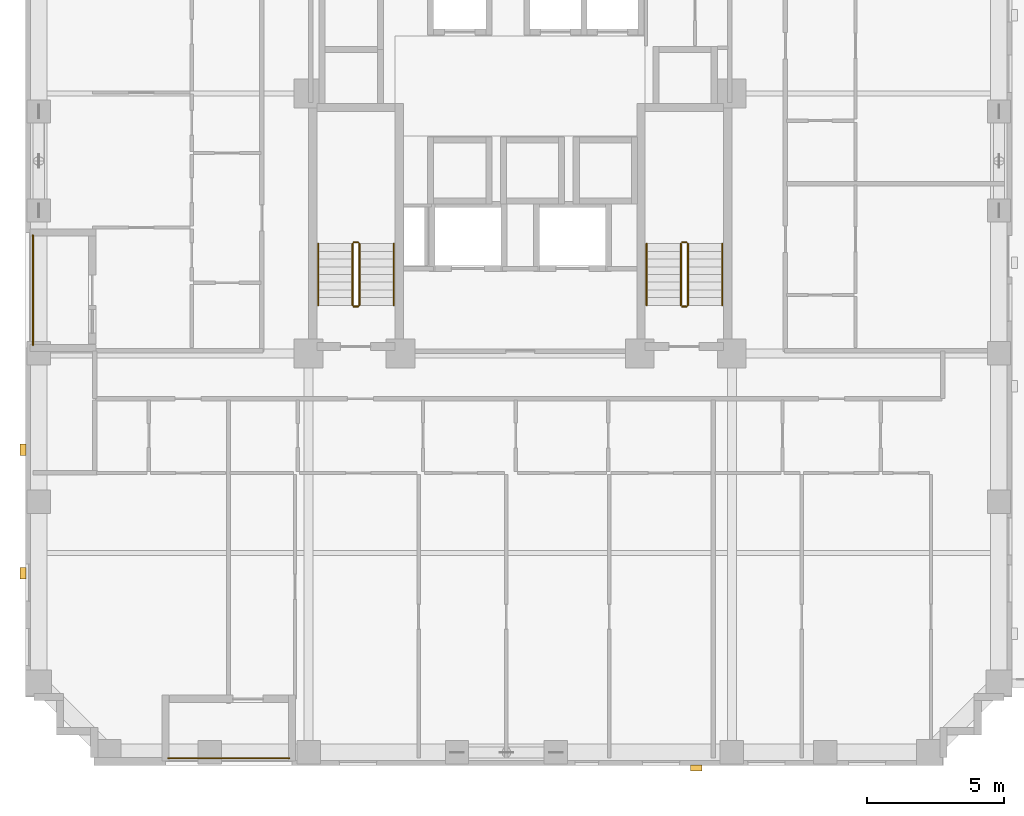
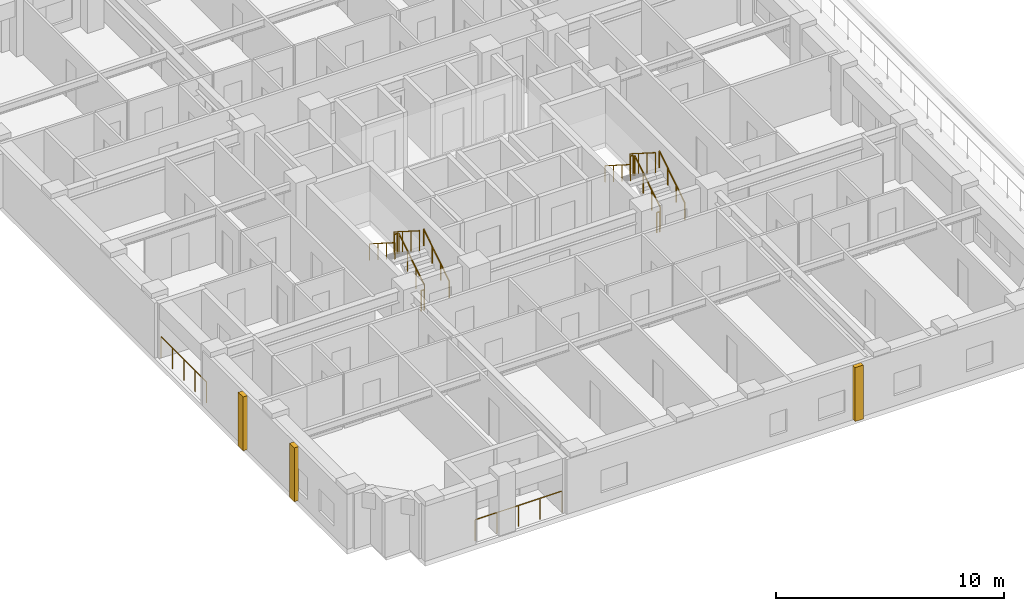
# One storey, part 15 of 16: 14 railings, 3 coverings.
"""IFC4 building model written with IfcOpenShell, lengths in metres."""

from ifc_helpers import new_model, si_unit, derived_unit, direction, frame, origin, origin_2d, place, context, subcontext, project, spatial, rectangle, circle, extrude, material, layer, layer_set, type_object, element, save


model = new_model("IFC4")

# Units and contexts
model_context = context("Model", 3, precision=1e-05, world=origin(), true_north=direction((0.0, 1.0)))
body_context = subcontext(model_context, "Body", "Model", "MODEL_VIEW")
ifc_project = project(units=[si_unit("LENGTHUNIT", "METRE"), si_unit("AREAUNIT", "SQUARE_METRE"), si_unit("VOLUMEUNIT", "CUBIC_METRE"), si_unit("PLANEANGLEUNIT", "RADIAN"), si_unit("MASSUNIT", "GRAM", prefix="KILO"), derived_unit("THERMALTRANSMITTANCEUNIT", [(si_unit("MASSUNIT", "GRAM", prefix="KILO"), 1), (si_unit("TIMEUNIT", "SECOND"), -3), (si_unit("THERMODYNAMICTEMPERATUREUNIT", "KELVIN"), -1)])], contexts=[model_context])

# Site, building, storey
site_placement = place(None, origin())
site = spatial("IfcSite", under=ifc_project, at=site_placement, CompositionType="ELEMENT")
building_placement = place(site_placement, origin())
building = spatial("IfcBuilding", under=site, at=building_placement, Name="Korrvale Station Residences", CompositionType="ELEMENT")
storey_placement = place(building_placement, frame((0.0, 0.0, 75.10009765625)))
storey = spatial("IfcBuildingStorey", under=building, at=storey_placement, Name="L20", CompositionType="ELEMENT", Elevation=75.10009765625)

# Coverings
ifc_material_1 = material(Name="Architectural precast concrete C45/55", Category="concrete")
ifc_layer = layer(ifc_material_1, 0.219970703125, Name="Architectural precast concrete C45/55")
ifc_layer_set = layer_set([ifc_layer], Name="Architectural precast concrete C45/55")
covering_type = type_object("IfcCoveringType", Name="COV-PIER-400", PredefinedType="CLADDING", material=ifc_layer_set)
for number, where, z_axis, x_axis, name in (
    (1, (31.89990234375, -0.090087890625, 0.02490234375), (0.0, 0.0, 1.0), (1.0, 0.0, 0.0), "L20 Architectural Precast Facade Pier 01"),
    (2, (7.409912109375, 7.0, 0.02490234375), (0.0, 0.0, 1.0), (0.0, 1.0, 0.0), "L20 Architectural Precast Facade Pier 04"),
    (3, (7.409912109375, 11.5, 0.02490234375), (0.0, 0.0, 1.0), (0.0, 1.0, 0.0), "L20 Architectural Precast Facade Pier 05"),
):
    element("IfcCovering", number, at=place(storey_placement, frame(where, z_axis=z_axis, x_axis=x_axis)), inside=storey, type_object=covering_type, Name=name, PredefinedType="CLADDING", context=body_context, shape_type="SweptSolid", body=[
        extrude(rectangle(XDim=0.419921875, YDim=0.219970703125, at=origin_2d()), origin(), (0.0, 0.0, 1.0), 2.889892578125),
    ])

# Railings
ifc_material_2 = material(Name="Powder-coated aluminium picket loggia guard", Category="aluminium")
railing_type_1 = type_object("IfcRailingType", Name="RLG-BAL-1150", PredefinedType="GUARDRAIL", material=ifc_material_2)
railing_1_placement = place(storey_placement, frame((12.699951171875, 0.27001953125, 0.0)))
element("IfcRailing", 4, at=railing_1_placement, inside=storey, type_object=railing_type_1, Name="L20 Recessed Loggia Guardrail BAL-L20-S1", PredefinedType="GUARDRAIL", context=body_context, shape_type="SweptSolid", body=[
    extrude(circle(Radius=0.02392578125, at=origin_2d()), frame((0.0, 0.0, 1.1259765625), z_axis=(1.0, 0.0, 0.0), x_axis=(0.0, 1.0, 0.0)), (0.0, 0.0, 1.0), 4.400146484375),
    extrude(circle(Radius=0.02099609375, at=origin_2d()), origin(), (0.0, 0.0, 1.0), 1.101806640625),
    extrude(circle(Radius=0.02099609375, at=origin_2d()), frame((1.10009765625, 0.0, 0.0)), (0.0, 0.0, 1.0), 1.101806640625),
    extrude(circle(Radius=0.02099609375, at=origin_2d()), frame((2.2001953125, 0.0, 0.0)), (0.0, 0.0, 1.0), 1.101806640625),
    extrude(circle(Radius=0.02099609375, at=origin_2d()), frame((3.300048828125, 0.0, 0.0)), (0.0, 0.0, 1.0), 1.101806640625),
    extrude(circle(Radius=0.02099609375, at=origin_2d()), frame((4.400146484375, 0.0, 0.0)), (0.0, 0.0, 1.0), 1.101806640625),
])
railing_2_placement = place(storey_placement, frame((7.77001953125, 15.300048828125, 0.0)))
element("IfcRailing", 5, at=railing_2_placement, inside=storey, type_object=railing_type_1, Name="L20 Recessed Loggia Guardrail BAL-L20-W1", PredefinedType="GUARDRAIL", context=body_context, shape_type="SweptSolid", body=[
    extrude(circle(Radius=0.02392578125, at=origin_2d()), frame((0.0, 0.0, 1.1259765625), z_axis=(0.0, 1.0, 0.0), x_axis=(-1.0, 0.0, 0.0)), (0.0, 0.0, 1.0), 4.0),
    extrude(circle(Radius=0.02099609375, at=origin_2d()), origin(), (0.0, 0.0, 1.0), 1.101806640625),
    extrude(circle(Radius=0.02099609375, at=origin_2d()), frame((0.0, 1.0, 0.0)), (0.0, 0.0, 1.0), 1.101806640625),
    extrude(circle(Radius=0.02099609375, at=origin_2d()), frame((0.0, 2.0, 0.0)), (0.0, 0.0, 1.0), 1.101806640625),
    extrude(circle(Radius=0.02099609375, at=origin_2d()), frame((0.0, 3.0, 0.0)), (0.0, 0.0, 1.0), 1.101806640625),
    extrude(circle(Radius=0.02099609375, at=origin_2d()), frame((0.0, 4.0, 0.0)), (0.0, 0.0, 1.0), 1.101806640625),
])
ifc_material_3 = material(Name="Brushed stainless-steel continuous stair handrail", Category="steel")
railing_type_2 = type_object("IfcRailingType", Name="RLG-SHND-900", PredefinedType="HANDRAIL", material=ifc_material_3)
railing_3_placement = place(storey_placement, frame((20.89990234375, 16.75, 0.177734375)))
element("IfcRailing", 6, at=railing_3_placement, inside=storey, type_object=railing_type_2, Name="L20 ST-1 stair handrail 1", PredefinedType="HANDRAIL", context=body_context, shape_type="SweptSolid", body=[
    extrude(circle(Radius=0.02392578125, at=origin_2d()), frame((0.0, 0.0, 0.8759765625), z_axis=(0.0, 0.8442293374, 0.53598211339), x_axis=(-1.0, 0.0, 0.0)), (0.0, 0.0, 1.0), 2.6533203125),
    extrude(circle(Radius=0.02099609375, at=origin_2d()), origin(), (0.0, 0.0, 1.0), 0.851806640625),
    extrude(circle(Radius=0.02099609375, at=origin_2d()), frame((0.0, 0.74658203125, 0.47412109375)), (0.0, 0.0, 1.0), 0.851806640625),
    extrude(circle(Radius=0.02099609375, at=origin_2d()), frame((0.0, 1.493408203125, 0.947998046875)), (0.0, 0.0, 1.0), 0.851806640625),
    extrude(circle(Radius=0.02099609375, at=origin_2d()), frame((0.0, 2.239990234375, 1.422119140625)), (0.0, 0.0, 1.0), 0.851806640625),
])
railing_4_placement = place(storey_placement, frame((18.14990234375, 18.989990234375, 1.777587890625)))
element("IfcRailing", 7, at=railing_4_placement, inside=storey, type_object=railing_type_2, Name="L20 ST-1 stair handrail 2", PredefinedType="HANDRAIL", context=body_context, shape_type="SweptSolid", body=[
    extrude(circle(Radius=0.02392578125, at=origin_2d()), frame((0.0, 0.0, 0.8759765625), z_axis=(0.0, -0.84418770128, 0.536047689118), x_axis=(1.0, 0.0, 0.0)), (0.0, 0.0, 1.0), 2.6533203125),
    extrude(circle(Radius=0.02099609375, at=origin_2d()), origin(), (0.0, 0.0, 1.0), 0.851806640625),
    extrude(circle(Radius=0.02099609375, at=origin_2d()), frame((0.0, -0.74658203125, 0.47412109375)), (0.0, 0.0, 1.0), 0.851806640625),
    extrude(circle(Radius=0.02099609375, at=origin_2d()), frame((0.0, -1.493408203125, 0.9482421875)), (0.0, 0.0, 1.0), 0.851806640625),
    extrude(circle(Radius=0.02099609375, at=origin_2d()), frame((0.0, -2.239990234375, 1.42236328125)), (0.0, 0.0, 1.0), 0.851806640625),
])
railing_5_placement = place(storey_placement, frame((32.85009765625, 16.75, 0.177734375)))
element("IfcRailing", 8, at=railing_5_placement, inside=storey, type_object=railing_type_2, Name="L20 ST-2 stair handrail 1", PredefinedType="HANDRAIL", context=body_context, shape_type="SweptSolid", body=[
    extrude(circle(Radius=0.02392578125, at=origin_2d()), frame((0.0, 0.0, 0.8759765625), z_axis=(0.0, 0.8442293374, 0.53598211339), x_axis=(-1.0, 0.0, 0.0)), (0.0, 0.0, 1.0), 2.6533203125),
    extrude(circle(Radius=0.02099609375, at=origin_2d()), origin(), (0.0, 0.0, 1.0), 0.851806640625),
    extrude(circle(Radius=0.02099609375, at=origin_2d()), frame((0.0, 0.74658203125, 0.47412109375)), (0.0, 0.0, 1.0), 0.851806640625),
    extrude(circle(Radius=0.02099609375, at=origin_2d()), frame((0.0, 1.493408203125, 0.947998046875)), (0.0, 0.0, 1.0), 0.851806640625),
    extrude(circle(Radius=0.02099609375, at=origin_2d()), frame((0.0, 2.239990234375, 1.422119140625)), (0.0, 0.0, 1.0), 0.851806640625),
])
railing_6_placement = place(storey_placement, frame((30.10009765625, 18.989990234375, 1.777587890625)))
element("IfcRailing", 9, at=railing_6_placement, inside=storey, type_object=railing_type_2, Name="L20 ST-2 stair handrail 2", PredefinedType="HANDRAIL", context=body_context, shape_type="SweptSolid", body=[
    extrude(circle(Radius=0.02392578125, at=origin_2d()), frame((0.0, 0.0, 0.8759765625), z_axis=(0.0, -0.84418770128, 0.536047689118), x_axis=(1.0, 0.0, 0.0)), (0.0, 0.0, 1.0), 2.6533203125),
    extrude(circle(Radius=0.02099609375, at=origin_2d()), origin(), (0.0, 0.0, 1.0), 0.851806640625),
    extrude(circle(Radius=0.02099609375, at=origin_2d()), frame((0.0, -0.74658203125, 0.47412109375)), (0.0, 0.0, 1.0), 0.851806640625),
    extrude(circle(Radius=0.02099609375, at=origin_2d()), frame((0.0, -1.493408203125, 0.9482421875)), (0.0, 0.0, 1.0), 0.851806640625),
    extrude(circle(Radius=0.02099609375, at=origin_2d()), frame((0.0, -2.239990234375, 1.42236328125)), (0.0, 0.0, 1.0), 0.851806640625),
])
ifc_material_4 = material(Name="Galvanised painted tubular steel stair guard", Category="steel")
railing_type_3 = type_object("IfcRailingType", Name="RLG-STR-1100", PredefinedType="GUARDRAIL", material=ifc_material_4)
railing_7_placement = place(storey_placement, frame((19.64990234375, 16.75, 0.177734375)))
element("IfcRailing", 10, at=railing_7_placement, inside=storey, type_object=railing_type_3, Name="L20 ST-1 stair guard 1", PredefinedType="GUARDRAIL", context=body_context, shape_type="SweptSolid", body=[
    extrude(circle(Radius=0.02392578125, at=origin_2d()), frame((0.0, 0.0, 1.076171875), z_axis=(0.0, 0.8442293374, 0.53598211339), x_axis=(-1.0, 0.0, 0.0)), (0.0, 0.0, 1.0), 2.6533203125),
    extrude(circle(Radius=0.02099609375, at=origin_2d()), origin(), (0.0, 0.0, 1.0), 1.052001953125),
    extrude(circle(Radius=0.02099609375, at=origin_2d()), frame((0.0, 0.74658203125, 0.47412109375)), (0.0, 0.0, 1.0), 1.052001953125),
    extrude(circle(Radius=0.02099609375, at=origin_2d()), frame((0.0, 1.493408203125, 0.947998046875)), (0.0, 0.0, 1.0), 1.052001953125),
    extrude(circle(Radius=0.02099609375, at=origin_2d()), frame((0.0, 2.239990234375, 1.422119140625)), (0.0, 0.0, 1.0), 1.052001953125),
])
railing_8_placement = place(storey_placement, frame((19.60009765625, 19.0400390625, 1.599853515625)))
element("IfcRailing", 11, at=railing_8_placement, inside=storey, type_object=railing_type_3, Name="L20 ST-1 stair guard 2", PredefinedType="GUARDRAIL", context=body_context, shape_type="SweptSolid", body=[
    extrude(circle(Radius=0.02392578125, at=origin_2d()), frame((0.0, 0.0, 1.076171875), z_axis=(-1.0, 0.0, 0.0), x_axis=(0.0, -1.0, 0.0)), (0.0, 0.0, 1.0), 0.150146484375),
    extrude(circle(Radius=0.02099609375, at=origin_2d()), origin(), (0.0, 0.0, 1.0), 1.052001953125),
    extrude(circle(Radius=0.02099609375, at=origin_2d()), frame((-0.150146484375, 0.0, 0.0)), (0.0, 0.0, 1.0), 1.052001953125),
])
railing_9_placement = place(storey_placement, frame((19.39990234375, 18.989990234375, 1.777587890625)))
element("IfcRailing", 12, at=railing_9_placement, inside=storey, type_object=railing_type_3, Name="L20 ST-1 stair guard 3", PredefinedType="GUARDRAIL", context=body_context, shape_type="SweptSolid", body=[
    extrude(circle(Radius=0.02392578125, at=origin_2d()), frame((0.0, 0.0, 1.076171875), z_axis=(0.0, -0.84418770128, 0.536047689118), x_axis=(1.0, 0.0, 0.0)), (0.0, 0.0, 1.0), 2.6533203125),
    extrude(circle(Radius=0.02099609375, at=origin_2d()), origin(), (0.0, 0.0, 1.0), 1.052001953125),
    extrude(circle(Radius=0.02099609375, at=origin_2d()), frame((0.0, -0.74658203125, 0.47412109375)), (0.0, 0.0, 1.0), 1.052001953125),
    extrude(circle(Radius=0.02099609375, at=origin_2d()), frame((0.0, -1.493408203125, 0.9482421875)), (0.0, 0.0, 1.0), 1.052001953125),
    extrude(circle(Radius=0.02099609375, at=origin_2d()), frame((0.0, -2.239990234375, 1.42236328125)), (0.0, 0.0, 1.0), 1.052001953125),
])
railing_10_placement = place(storey_placement, frame((19.60009765625, 16.699951171875, 0.0)))
element("IfcRailing", 13, at=railing_10_placement, inside=storey, type_object=railing_type_3, Name="L20 ST-1 stair guard 4", PredefinedType="GUARDRAIL", context=body_context, shape_type="SweptSolid", body=[
    extrude(circle(Radius=0.02392578125, at=origin_2d()), frame((0.0, 0.0, 1.076171875), z_axis=(-1.0, 0.0, 0.0), x_axis=(0.0, -1.0, 0.0)), (0.0, 0.0, 1.0), 0.150146484375),
    extrude(circle(Radius=0.02099609375, at=origin_2d()), origin(), (0.0, 0.0, 1.0), 1.052001953125),
    extrude(circle(Radius=0.02099609375, at=origin_2d()), frame((-0.150146484375, 0.0, 0.0)), (0.0, 0.0, 1.0), 1.052001953125),
])
railing_11_placement = place(storey_placement, frame((31.60009765625, 16.75, 0.177734375)))
element("IfcRailing", 14, at=railing_11_placement, inside=storey, type_object=railing_type_3, Name="L20 ST-2 stair guard 1", PredefinedType="GUARDRAIL", context=body_context, shape_type="SweptSolid", body=[
    extrude(circle(Radius=0.02392578125, at=origin_2d()), frame((0.0, 0.0, 1.076171875), z_axis=(0.0, 0.8442293374, 0.53598211339), x_axis=(-1.0, 0.0, 0.0)), (0.0, 0.0, 1.0), 2.6533203125),
    extrude(circle(Radius=0.02099609375, at=origin_2d()), origin(), (0.0, 0.0, 1.0), 1.052001953125),
    extrude(circle(Radius=0.02099609375, at=origin_2d()), frame((0.0, 0.74658203125, 0.47412109375)), (0.0, 0.0, 1.0), 1.052001953125),
    extrude(circle(Radius=0.02099609375, at=origin_2d()), frame((0.0, 1.493408203125, 0.947998046875)), (0.0, 0.0, 1.0), 1.052001953125),
    extrude(circle(Radius=0.02099609375, at=origin_2d()), frame((0.0, 2.239990234375, 1.422119140625)), (0.0, 0.0, 1.0), 1.052001953125),
])
railing_12_placement = place(storey_placement, frame((31.550048828125, 19.0400390625, 1.599853515625)))
element("IfcRailing", 15, at=railing_12_placement, inside=storey, type_object=railing_type_3, Name="L20 ST-2 stair guard 2", PredefinedType="GUARDRAIL", context=body_context, shape_type="SweptSolid", body=[
    extrude(circle(Radius=0.02392578125, at=origin_2d()), frame((0.0, 0.0, 1.076171875), z_axis=(-1.0, 0.0, 0.0), x_axis=(0.0, -1.0, 0.0)), (0.0, 0.0, 1.0), 0.150146484375),
    extrude(circle(Radius=0.02099609375, at=origin_2d()), origin(), (0.0, 0.0, 1.0), 1.052001953125),
    extrude(circle(Radius=0.02099609375, at=origin_2d()), frame((-0.150146484375, 0.0, 0.0)), (0.0, 0.0, 1.0), 1.052001953125),
])
railing_13_placement = place(storey_placement, frame((31.35009765625, 18.989990234375, 1.777587890625)))
element("IfcRailing", 16, at=railing_13_placement, inside=storey, type_object=railing_type_3, Name="L20 ST-2 stair guard 3", PredefinedType="GUARDRAIL", context=body_context, shape_type="SweptSolid", body=[
    extrude(circle(Radius=0.02392578125, at=origin_2d()), frame((0.0, 0.0, 1.076171875), z_axis=(0.0, -0.84418770128, 0.536047689118), x_axis=(1.0, 0.0, 0.0)), (0.0, 0.0, 1.0), 2.6533203125),
    extrude(circle(Radius=0.02099609375, at=origin_2d()), origin(), (0.0, 0.0, 1.0), 1.052001953125),
    extrude(circle(Radius=0.02099609375, at=origin_2d()), frame((0.0, -0.74658203125, 0.47412109375)), (0.0, 0.0, 1.0), 1.052001953125),
    extrude(circle(Radius=0.02099609375, at=origin_2d()), frame((0.0, -1.493408203125, 0.9482421875)), (0.0, 0.0, 1.0), 1.052001953125),
    extrude(circle(Radius=0.02099609375, at=origin_2d()), frame((0.0, -2.239990234375, 1.42236328125)), (0.0, 0.0, 1.0), 1.052001953125),
])
railing_14_placement = place(storey_placement, frame((31.550048828125, 16.699951171875, 0.0)))
element("IfcRailing", 17, at=railing_14_placement, inside=storey, type_object=railing_type_3, Name="L20 ST-2 stair guard 4", PredefinedType="GUARDRAIL", context=body_context, shape_type="SweptSolid", body=[
    extrude(circle(Radius=0.02392578125, at=origin_2d()), frame((0.0, 0.0, 1.076171875), z_axis=(-1.0, 0.0, 0.0), x_axis=(0.0, -1.0, 0.0)), (0.0, 0.0, 1.0), 0.150146484375),
    extrude(circle(Radius=0.02099609375, at=origin_2d()), origin(), (0.0, 0.0, 1.0), 1.052001953125),
    extrude(circle(Radius=0.02099609375, at=origin_2d()), frame((-0.150146484375, 0.0, 0.0)), (0.0, 0.0, 1.0), 1.052001953125),
])

save(model, "model.ifc")
